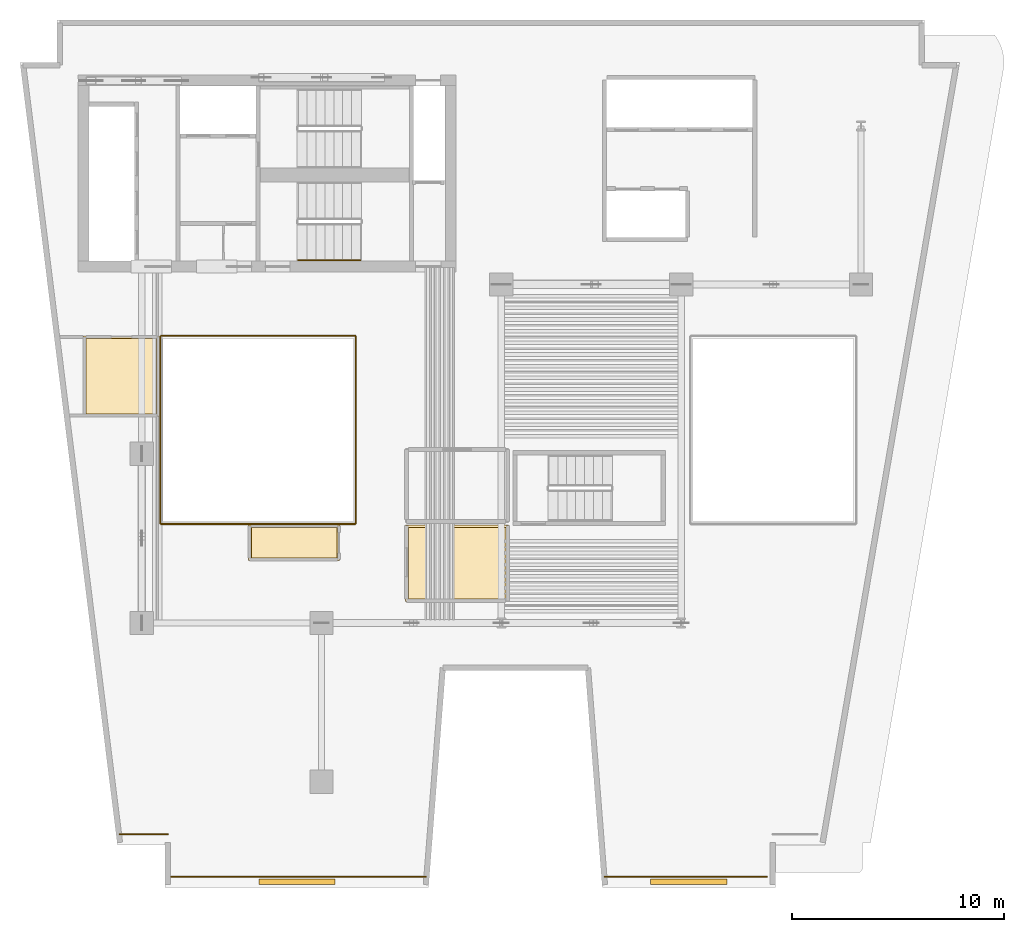
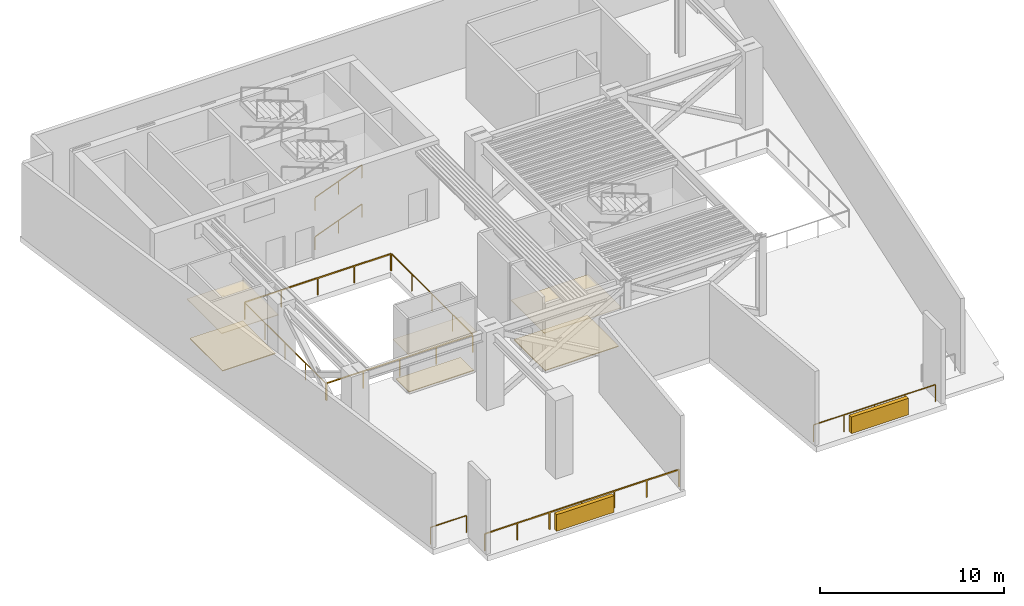
# One storey, part 6 of 8: 9 railings, 6 coverings, 2 shading devices.
"""IFC4 building model written with IfcOpenShell, lengths in metres."""

from ifc_helpers import new_model, si_unit, direction, frame, origin, origin_2d, place, context, subcontext, project, spatial, polyline, rectangle, outline, extrude, material, layer, layer_set, type_object, element, save


model = new_model("IFC4")

# Units and contexts
model_context = context("Model", 3, precision=1e-05, world=origin(), true_north=direction((0.0, 1.0)))
body_context = subcontext(model_context, "Body", "Model", "MODEL_VIEW")
ifc_project = project(units=[si_unit("LENGTHUNIT", "METRE"), si_unit("AREAUNIT", "SQUARE_METRE"), si_unit("VOLUMEUNIT", "CUBIC_METRE"), si_unit("PLANEANGLEUNIT", "RADIAN"), si_unit("MASSUNIT", "GRAM", prefix="KILO")], contexts=[model_context])

# Site, building, storey
site_placement = place(None, origin())
site = spatial("IfcSite", under=ifc_project, at=site_placement, CompositionType="ELEMENT")
building_placement = place(site_placement, origin())
building = spatial("IfcBuilding", under=site, at=building_placement, Name="Caeloran Harvest Quay", CompositionType="ELEMENT")
storey_placement = place(building_placement, frame((0.0, 0.0, 178.550048828125)))
storey = spatial("IfcBuildingStorey", under=building, at=storey_placement, Name="L42", CompositionType="ELEMENT", Elevation=178.550048828125)

# Coverings
ifc_material_1 = material(Name="Perforated Mineral-Fibre Acoustic Ceiling Tile", Category="ceiling")
ifc_layer_1 = layer(ifc_material_1, 0.0400390625, Name="Perforated Mineral-Fibre Acoustic Ceiling Tile")
ifc_layer_set_1 = layer_set([ifc_layer_1], Name="Perforated Mineral-Fibre Acoustic Ceiling Tile")
covering_type_1 = type_object("IfcCoveringType", Name="COV-CEILING-ACOUSTIC", PredefinedType="CEILING", material=ifc_layer_set_1)
covering_1_placement = place(storey_placement, frame((0.0, 0.0, 2.599853515625)))
element("IfcCovering", 1, at=covering_1_placement, inside=storey, type_object=covering_type_1, Name="L42 Zone Chilled-Water Heat Exchanger and Pump Plant Room Acoustic Ceiling", PredefinedType="CEILING", context=body_context, shape_type="SweptSolid", body=[
    extrude(outline(polyline([(25.840087890625, 19.639892578125), (25.840087890625, 16.010009765625), (20.97998046875, 16.010009765625), (20.97998046875, 19.639892578125), (25.840087890625, 19.639892578125)])), origin(), (0.0, 0.0, 1.0), 0.0400390625),
])
covering_2_placement = place(storey_placement, frame((0.0, 0.0, 2.599853515625)))
element("IfcCovering", 2, at=covering_2_placement, inside=storey, type_object=covering_type_1, Name="L42 Refuge Male Washroom WC Acoustic Ceiling", PredefinedType="CEILING", context=body_context, shape_type="SweptSolid", body=[
    extrude(outline(polyline([(17.860107421875, 19.6298828125), (17.860107421875, 17.9599609375), (13.56005859375, 17.9599609375), (13.56005859375, 19.6298828125), (17.860107421875, 19.6298828125)])), origin(), (0.0, 0.0, 1.0), 0.0400390625),
])
covering_3_placement = place(storey_placement, frame((0.0, 0.0, 2.599853515625)))
element("IfcCovering", 3, at=covering_3_placement, inside=storey, type_object=covering_type_1, Name="L42 Refuge Accessible Unisex Washroom WC Acoustic Ceiling", PredefinedType="CEILING", context=body_context, shape_type="SweptSolid", body=[
    extrude(outline(polyline([(9.330078125, 28.56005859375), (9.330078125, 24.760009765625), (5.760009765625, 24.760009765625), (5.760009765625, 28.56005859375), (9.330078125, 28.56005859375)])), origin(), (0.0, 0.0, 1.0), 0.0400390625),
])
ifc_material_2 = material(Name="Calcium-Sulphate Raised Access Floor and Terrazzo Finish", Category="flooring")
ifc_layer_2 = layer(ifc_material_2, 0.050048828125, Name="Calcium-Sulphate Raised Access Floor and Terrazzo Finish")
ifc_layer_set_2 = layer_set([ifc_layer_2], Name="Calcium-Sulphate Raised Access Floor and Terrazzo Finish")
covering_type_2 = type_object("IfcCoveringType", Name="COV-FLOOR-RAISED", PredefinedType="FLOORING", material=ifc_layer_set_2)
covering_4_placement = place(storey_placement, origin())
element("IfcCovering", 4, at=covering_4_placement, inside=storey, type_object=covering_type_2, Name="L42 Zone Chilled-Water Heat Exchanger and Pump Plant Room Raised Finish Flooring", PredefinedType="FLOORING", context=body_context, shape_type="SweptSolid", body=[
    extrude(outline(polyline([(25.719970703125, 19.52001953125), (25.719970703125, 16.1298828125), (21.10009765625, 16.1298828125), (21.10009765625, 19.52001953125), (25.719970703125, 19.52001953125)])), origin(), (0.0, 0.0, 1.0), 0.050048828125),
])
covering_5_placement = place(storey_placement, origin())
element("IfcCovering", 5, at=covering_5_placement, inside=storey, type_object=covering_type_2, Name="L42 Refuge Male Washroom WC Raised Finish Flooring", PredefinedType="FLOORING", context=body_context, shape_type="SweptSolid", body=[
    extrude(outline(polyline([(17.739990234375, 19.510009765625), (17.739990234375, 18.080078125), (13.679931640625, 18.080078125), (13.679931640625, 19.510009765625), (17.739990234375, 19.510009765625)])), origin(), (0.0, 0.0, 1.0), 0.050048828125),
])
covering_6_placement = place(storey_placement, origin())
element("IfcCovering", 6, at=covering_6_placement, inside=storey, type_object=covering_type_2, Name="L42 Refuge Accessible Unisex Washroom WC Raised Finish Flooring", PredefinedType="FLOORING", context=body_context, shape_type="SweptSolid", body=[
    extrude(outline(polyline([(9.2099609375, 28.43994140625), (9.2099609375, 24.8798828125), (5.8798828125, 24.8798828125), (5.8798828125, 28.43994140625), (9.2099609375, 28.43994140625)])), origin(), (0.0, 0.0, 1.0), 0.050048828125),
])

# Railings
ifc_material_3 = material(Name="Powder-Coated Steel Post and Laminated Glass Guardrail", Category="steel")
ifc_layer_3 = layer(ifc_material_3, 0.06005859375, Name="Powder-Coated Steel Post and Laminated Glass Guardrail")
ifc_layer_set_3 = layer_set([ifc_layer_3], Name="Powder-Coated Steel Post and Laminated Glass Guardrail")
railing_type_1 = type_object("IfcRailingType", Name="GUARD-ATRIUM-1150", PredefinedType="GUARDRAIL", material=ifc_layer_set_3)
railing_1_placement = place(storey_placement, frame((9.412109375, 19.679931640625, 0.0)))
element("IfcRailing", 7, at=railing_1_placement, inside=storey, type_object=railing_type_1, Name="L42 Skylit Atrium Void Perimeter Guardrail Seg 1", PredefinedType="GUARDRAIL", context=body_context, shape_type="SweptSolid", body=[
    extrude(rectangle(XDim=0.048095703125, YDim=0.048095703125, at=origin_2d()), frame((0.0, 0.0, 1.1259765625), z_axis=(1.0, 0.0, 0.0), x_axis=(0.0, 1.0, 0.0)), (0.0, 0.0, 1.0), 9.17578125),
    extrude(rectangle(XDim=0.0419921875, YDim=0.0419921875, at=origin_2d()), origin(), (0.0, 0.0, 1.0), 1.101806640625),
    extrude(rectangle(XDim=0.0419921875, YDim=0.0419921875, at=origin_2d()), frame((2.2939453125, 0.0, 0.0)), (0.0, 0.0, 1.0), 1.101806640625),
    extrude(rectangle(XDim=0.0419921875, YDim=0.0419921875, at=origin_2d()), frame((4.587890625, 0.0, 0.0)), (0.0, 0.0, 1.0), 1.101806640625),
    extrude(rectangle(XDim=0.0419921875, YDim=0.0419921875, at=origin_2d()), frame((6.8818359375, 0.0, 0.0)), (0.0, 0.0, 1.0), 1.101806640625),
    extrude(rectangle(XDim=0.0419921875, YDim=0.0419921875, at=origin_2d()), frame((9.17578125, 0.0, 0.0)), (0.0, 0.0, 1.0), 1.101806640625),
])
railing_2_placement = place(storey_placement, frame((18.6201171875, 19.7119140625, 0.0)))
element("IfcRailing", 8, at=railing_2_placement, inside=storey, type_object=railing_type_1, Name="L42 Skylit Atrium Void Perimeter Guardrail Seg 2", PredefinedType="GUARDRAIL", context=body_context, shape_type="SweptSolid", body=[
    extrude(rectangle(XDim=0.048095703125, YDim=0.048095703125, at=origin_2d()), frame((0.0, 0.0, 1.1259765625), z_axis=(0.0, 1.0, 0.0), x_axis=(-1.0, 0.0, 0.0)), (0.0, 0.0, 1.0), 8.826171875),
    extrude(rectangle(XDim=0.0419921875, YDim=0.0419921875, at=origin_2d()), origin(), (0.0, 0.0, 1.0), 1.101806640625),
    extrude(rectangle(XDim=0.0419921875, YDim=0.0419921875, at=origin_2d()), frame((0.0, 2.20654296875, 0.0)), (0.0, 0.0, 1.0), 1.101806640625),
    extrude(rectangle(XDim=0.0419921875, YDim=0.0419921875, at=origin_2d()), frame((0.0, 4.4130859375, 0.0)), (0.0, 0.0, 1.0), 1.101806640625),
    extrude(rectangle(XDim=0.0419921875, YDim=0.0419921875, at=origin_2d()), frame((0.0, 6.61962890625, 0.0)), (0.0, 0.0, 1.0), 1.101806640625),
    extrude(rectangle(XDim=0.0419921875, YDim=0.0419921875, at=origin_2d()), frame((0.0, 8.826171875, 0.0)), (0.0, 0.0, 1.0), 1.101806640625),
])
railing_3_placement = place(storey_placement, frame((18.587890625, 28.570068359375, 0.0)))
element("IfcRailing", 9, at=railing_3_placement, inside=storey, type_object=railing_type_1, Name="L42 Skylit Atrium Void Perimeter Guardrail Seg 3", PredefinedType="GUARDRAIL", context=body_context, shape_type="SweptSolid", body=[
    extrude(rectangle(XDim=0.048095703125, YDim=0.048095703125, at=origin_2d()), frame((0.0, 0.0, 1.1259765625), z_axis=(-1.0, 0.0, 0.0), x_axis=(0.0, -1.0, 0.0)), (0.0, 0.0, 1.0), 9.17578125),
    extrude(rectangle(XDim=0.0419921875, YDim=0.0419921875, at=origin_2d()), origin(), (0.0, 0.0, 1.0), 1.101806640625),
    extrude(rectangle(XDim=0.0419921875, YDim=0.0419921875, at=origin_2d()), frame((-2.2939453125, 0.0, 0.0)), (0.0, 0.0, 1.0), 1.101806640625),
    extrude(rectangle(XDim=0.0419921875, YDim=0.0419921875, at=origin_2d()), frame((-4.587890625, 0.0, 0.0)), (0.0, 0.0, 1.0), 1.101806640625),
    extrude(rectangle(XDim=0.0419921875, YDim=0.0419921875, at=origin_2d()), frame((-6.8818359375, 0.0, 0.0)), (0.0, 0.0, 1.0), 1.101806640625),
    extrude(rectangle(XDim=0.0419921875, YDim=0.0419921875, at=origin_2d()), frame((-9.17578125, 0.0, 0.0)), (0.0, 0.0, 1.0), 1.101806640625),
])
railing_4_placement = place(storey_placement, frame((9.3798828125, 28.5380859375, 0.0)))
element("IfcRailing", 10, at=railing_4_placement, inside=storey, type_object=railing_type_1, Name="L42 Skylit Atrium Void Perimeter Guardrail Seg 4", PredefinedType="GUARDRAIL", context=body_context, shape_type="SweptSolid", body=[
    extrude(rectangle(XDim=0.048095703125, YDim=0.048095703125, at=origin_2d()), frame((0.0, 0.0, 1.1259765625), z_axis=(0.0, -1.0, 0.0), x_axis=(1.0, 0.0, 0.0)), (0.0, 0.0, 1.0), 8.826171875),
    extrude(rectangle(XDim=0.0419921875, YDim=0.0419921875, at=origin_2d()), origin(), (0.0, 0.0, 1.0), 1.101806640625),
    extrude(rectangle(XDim=0.0419921875, YDim=0.0419921875, at=origin_2d()), frame((0.0, -2.20654296875, 0.0)), (0.0, 0.0, 1.0), 1.101806640625),
    extrude(rectangle(XDim=0.0419921875, YDim=0.0419921875, at=origin_2d()), frame((0.0, -4.4130859375, 0.0)), (0.0, 0.0, 1.0), 1.101806640625),
    extrude(rectangle(XDim=0.0419921875, YDim=0.0419921875, at=origin_2d()), frame((0.0, -6.61962890625, 0.0)), (0.0, 0.0, 1.0), 1.101806640625),
    extrude(rectangle(XDim=0.0419921875, YDim=0.0419921875, at=origin_2d()), frame((0.0, -8.826171875, 0.0)), (0.0, 0.0, 1.0), 1.101806640625),
])
ifc_material_4 = material(Name="Laminated Safety Glass and Stainless Steel 316", Category="steel")
ifc_layer_4 = layer(ifc_material_4, 0.06005859375, Name="Laminated Safety Glass and Stainless Steel 316")
ifc_layer_set_4 = layer_set([ifc_layer_4], Name="Laminated Safety Glass and Stainless Steel 316")
railing_type_2 = type_object("IfcRailingType", Name="GUARD-BALUSTRADE-1150", PredefinedType="BALUSTRADE", material=ifc_layer_set_4)
railing_5_placement = place(storey_placement, frame((9.73291015625, 5.010009765625, 0.0)))
element("IfcRailing", 11, at=railing_5_placement, inside=storey, type_object=railing_type_2, Name="L42 Open Refuge and Wind-Slot Perimeter Balustrade 2", PredefinedType="BALUSTRADE", context=body_context, shape_type="SweptSolid", body=[
    extrude(rectangle(XDim=0.048095703125, YDim=0.048095703125, at=origin_2d()), frame((0.0, 0.0, 1.1259765625), z_axis=(-1.0, 0.0, 0.0), x_axis=(0.0, -1.0, 0.0)), (0.0, 0.0, 1.0), 2.263916015625),
    extrude(rectangle(XDim=0.0419921875, YDim=0.0419921875, at=origin_2d()), origin(), (0.0, 0.0, 1.0), 1.101806640625),
    extrude(rectangle(XDim=0.0419921875, YDim=0.0419921875, at=origin_2d()), frame((-2.263916015625, 0.0, 0.0)), (0.0, 0.0, 1.0), 1.101806640625),
])
railing_6_placement = place(storey_placement, frame((38.05029296875, 3.010009765625, 0.0)))
element("IfcRailing", 12, at=railing_6_placement, inside=storey, type_object=railing_type_2, Name="L42 Open Refuge and Wind-Slot Perimeter Balustrade 12", PredefinedType="BALUSTRADE", context=body_context, shape_type="SweptSolid", body=[
    extrude(rectangle(XDim=0.048095703125, YDim=0.048095703125, at=origin_2d()), frame((0.0, 0.0, 1.1259765625), z_axis=(-1.0, 0.0, 0.0), x_axis=(0.0, -1.0, 0.0)), (0.0, 0.0, 1.0), 7.66064453125),
    extrude(rectangle(XDim=0.0419921875, YDim=0.0419921875, at=origin_2d()), origin(), (0.0, 0.0, 1.0), 1.101806640625),
    extrude(rectangle(XDim=0.0419921875, YDim=0.0419921875, at=origin_2d()), frame((-1.9150390625, 0.0, 0.0)), (0.0, 0.0, 1.0), 1.101806640625),
    extrude(rectangle(XDim=0.0419921875, YDim=0.0419921875, at=origin_2d()), frame((-3.830322265625, 0.0, 0.0)), (0.0, 0.0, 1.0), 1.101806640625),
    extrude(rectangle(XDim=0.0419921875, YDim=0.0419921875, at=origin_2d()), frame((-5.74560546875, 0.0, 0.0)), (0.0, 0.0, 1.0), 1.101806640625),
    extrude(rectangle(XDim=0.0419921875, YDim=0.0419921875, at=origin_2d()), frame((-7.66064453125, 0.0, 0.0)), (0.0, 0.0, 1.0), 1.101806640625),
])
railing_7_placement = place(storey_placement, frame((21.936767578125, 3.010009765625, 0.0)))
element("IfcRailing", 13, at=railing_7_placement, inside=storey, type_object=railing_type_2, Name="L42 Open Refuge and Wind-Slot Perimeter Balustrade 16", PredefinedType="BALUSTRADE", context=body_context, shape_type="SweptSolid", body=[
    extrude(rectangle(XDim=0.048095703125, YDim=0.048095703125, at=origin_2d()), frame((0.0, 0.0, 1.1259765625), z_axis=(-1.0, 0.0, 0.0), x_axis=(0.0, -1.0, 0.0)), (0.0, 0.0, 1.0), 12.203857421875),
    extrude(rectangle(XDim=0.0419921875, YDim=0.0419921875, at=origin_2d()), origin(), (0.0, 0.0, 1.0), 1.101806640625),
    extrude(rectangle(XDim=0.0419921875, YDim=0.0419921875, at=origin_2d()), frame((-2.033935546875, 0.0, 0.0)), (0.0, 0.0, 1.0), 1.101806640625),
    extrude(rectangle(XDim=0.0419921875, YDim=0.0419921875, at=origin_2d()), frame((-4.06787109375, 0.0, 0.0)), (0.0, 0.0, 1.0), 1.101806640625),
    extrude(rectangle(XDim=0.0419921875, YDim=0.0419921875, at=origin_2d()), frame((-6.10205078125, 0.0, 0.0)), (0.0, 0.0, 1.0), 1.101806640625),
    extrude(rectangle(XDim=0.0419921875, YDim=0.0419921875, at=origin_2d()), frame((-8.135986328125, 0.0, 0.0)), (0.0, 0.0, 1.0), 1.101806640625),
    extrude(rectangle(XDim=0.0419921875, YDim=0.0419921875, at=origin_2d()), frame((-10.169921875, 0.0, 0.0)), (0.0, 0.0, 1.0), 1.101806640625),
    extrude(rectangle(XDim=0.0419921875, YDim=0.0419921875, at=origin_2d()), frame((-12.203857421875, 0.0, 0.0)), (0.0, 0.0, 1.0), 1.101806640625),
])

# Shading devices
ifc_material_5 = material(Name="6063-T6 Extruded Aluminium Acoustic Weather Louvre", Category="aluminium")
shading_device_type = type_object("IfcShadingDeviceType", Name="SHADE-LOUVRE-PLANT", PredefinedType="JALOUSIE", material=ifc_material_5)
for number, where, z_axis, x_axis, name in (
    (14, (34.356201171875, 2.77001953125, 0.0), (0.0, 0.0, 1.0), (-1.0, 0.0, 0.0), "L42 Acoustic Weather Louvre 12"),
    (15, (15.8349609375, 2.77001953125, 0.0), (0.0, 0.0, 1.0), (-1.0, 0.0, 0.0), "L42 Acoustic Weather Louvre 16"),
):
    element("IfcShadingDevice", number, at=place(storey_placement, frame(where, z_axis=z_axis, x_axis=x_axis)), inside=storey, type_object=shading_device_type, Name=name, PredefinedType="JALOUSIE", context=body_context, shape_type="SweptSolid", body=[
        extrude(rectangle(XDim=3.60009765625, YDim=0.239990234375, at=origin_2d()), origin(), (0.0, 0.0, 1.0), 1.10009765625),
    ])

# Railings
ifc_material_6 = material(Name="Brushed Stainless Steel Grade 304", Category="steel")
ifc_layer_5 = layer(ifc_material_6, 0.050048828125, Name="Brushed Stainless Steel Grade 304")
ifc_layer_set_5 = layer_set([ifc_layer_5], Name="Brushed Stainless Steel Grade 304")
railing_type_3 = type_object("IfcRailingType", Name="STAIR-HANDRAIL-900", PredefinedType="HANDRAIL", material=ifc_layer_set_5)
railing_8_placement = place(storey_placement, frame((15.89990234375, 32.14990234375, 0.162353515625)))
element("IfcRailing", 16, at=railing_8_placement, inside=storey, type_object=railing_type_3, Name="L42 ST-C2 stair handrail 1", PredefinedType="HANDRAIL", context=body_context, shape_type="SweptSolid", body=[
    extrude(rectangle(XDim=0.048095703125, YDim=0.048095703125, at=origin_2d()), frame((0.0, 0.0, 0.8759765625), z_axis=(0.932615185337, 0.0, 0.360872437405), x_axis=(0.0, 1.0, 0.0)), (0.0, 0.0, 1.0), 3.152587890625),
    extrude(rectangle(XDim=0.0419921875, YDim=0.0419921875, at=origin_2d()), origin(), (0.0, 0.0, 1.0), 0.851806640625),
    extrude(rectangle(XDim=0.0419921875, YDim=0.0419921875, at=origin_2d()), frame((1.47021484375, 0.0, 0.56884765625)), (0.0, 0.0, 1.0), 0.851806640625),
    extrude(rectangle(XDim=0.0419921875, YDim=0.0419921875, at=origin_2d()), frame((2.940185546875, 0.0, 1.1376953125)), (0.0, 0.0, 1.0), 0.851806640625),
])
railing_9_placement = place(storey_placement, frame((15.89990234375, 32.14990234375, 2.762451171875)))
element("IfcRailing", 17, at=railing_9_placement, inside=storey, type_object=railing_type_3, Name="L42 ST-C2 stair handrail 3", PredefinedType="HANDRAIL", context=body_context, shape_type="SweptSolid", body=[
    extrude(rectangle(XDim=0.048095703125, YDim=0.048095703125, at=origin_2d()), frame((0.0, 0.0, 0.8759765625), z_axis=(0.932641246608, 0.0, 0.360805079129), x_axis=(0.0, 1.0, 0.0)), (0.0, 0.0, 1.0), 3.152587890625),
    extrude(rectangle(XDim=0.0419921875, YDim=0.0419921875, at=origin_2d()), origin(), (0.0, 0.0, 1.0), 0.851806640625),
    extrude(rectangle(XDim=0.0419921875, YDim=0.0419921875, at=origin_2d()), frame((1.47021484375, 0.0, 0.56884765625)), (0.0, 0.0, 1.0), 0.851806640625),
    extrude(rectangle(XDim=0.0419921875, YDim=0.0419921875, at=origin_2d()), frame((2.940185546875, 0.0, 1.137451171875)), (0.0, 0.0, 1.0), 0.851806640625),
])

save(model, "model.ifc")
